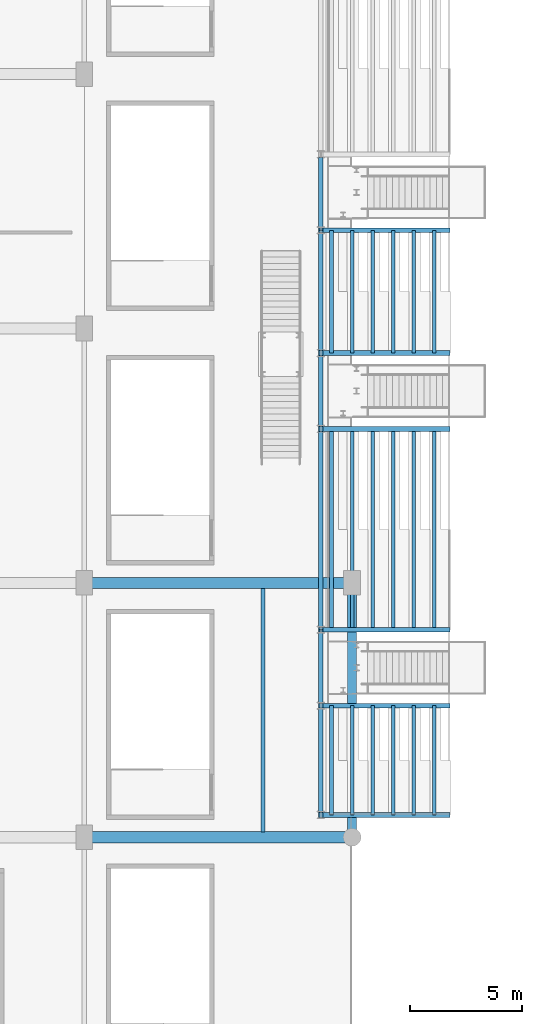
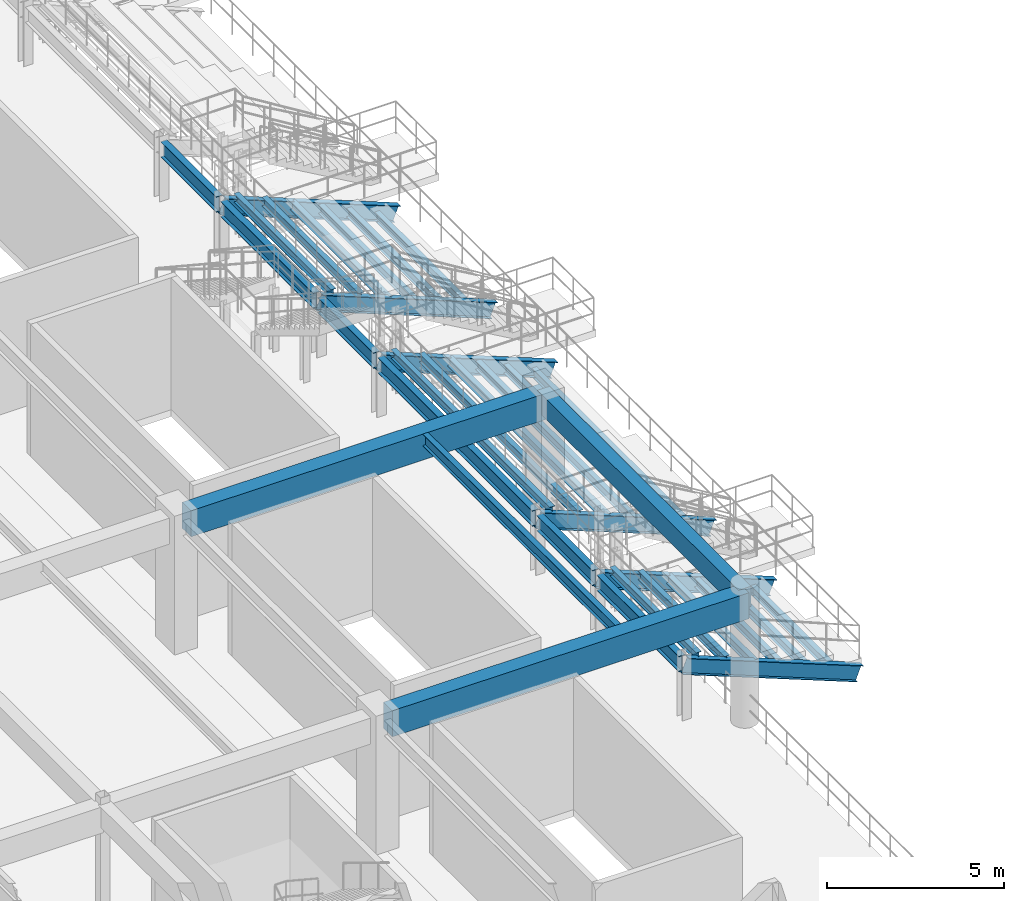
# One storey, part 55 of 106: 18 members, 16 beams.
"""IFC4 building model written with IfcOpenShell, lengths in metres."""

from ifc_helpers import new_model, si_unit, direction, frame, origin, origin_2d, place, context, subcontext, project, spatial, rectangle, i_section, extrude, material, material_profile, profile_set, type_object, element, save


model = new_model("IFC4")

# Units and contexts
model_context = context("Model", 3, precision=1e-05, world=origin(), true_north=direction((0.0, 1.0)))
body_context = subcontext(model_context, "Body", "Model", "MODEL_VIEW")
ifc_project = project(units=[si_unit("LENGTHUNIT", "METRE"), si_unit("AREAUNIT", "SQUARE_METRE"), si_unit("VOLUMEUNIT", "CUBIC_METRE"), si_unit("PLANEANGLEUNIT", "RADIAN"), si_unit("MASSUNIT", "GRAM", prefix="KILO"), si_unit("POWERUNIT", "WATT"), si_unit("THERMODYNAMICTEMPERATUREUNIT", "KELVIN")], contexts=[model_context])

# Site, building, storey
site_placement = place(None, origin())
site = spatial("IfcSite", under=ifc_project, at=site_placement, CompositionType="ELEMENT")
building_placement = place(site_placement, origin())
building = spatial("IfcBuilding", under=site, at=building_placement, Name="Kelmbourne Parkland Aquatics Centre", CompositionType="ELEMENT")
storey_placement = place(building_placement, frame((0.0, 0.0, 5.39990234375)))
storey = spatial("IfcBuildingStorey", under=building, at=storey_placement, Name="L01", CompositionType="ELEMENT", Elevation=5.39990234375)

# Beams
ifc_material_1 = material(Name="Concrete C40/50", Category="concrete")
ifc_material_profile_1 = material_profile(ifc_material_1, rectangle(XDim=0.5, YDim=0.89990234375, at=origin_2d()), Name="RC 500x900")
ifc_profile_set_1 = profile_set([ifc_material_profile_1], Name="Concrete C40/50")
beam_type_1 = type_object("IfcBeamType", Name="BM-G03", PredefinedType="BEAM", material=ifc_profile_set_1)
for number, where, z_axis, x_axis, name in (
    (1, (128.330078125, 35.0, 4.110107421875), (1.0, 0.0, 0.0), (0.0, 1.0, 0.0), "Primary girder P-Q Grid 05 (L02)"),
    (2, (128.330078125, 46.39990234375, 4.110107421875), (1.0, 0.0, 0.0), (0.0, 1.0, 0.0), "Primary girder P-Q Grid 06 (L02)"),
):
    element("IfcBeam", number, at=place(storey_placement, frame(where, z_axis=z_axis, x_axis=x_axis)), inside=storey, type_object=beam_type_1, Name=name, PredefinedType="BEAM", context=body_context, shape_type="SweptSolid", body=[
        extrude(rectangle(XDim=0.5, YDim=0.89990234375, at=origin_2d()), origin(), (0.0, 0.0, 1.0), 11.669921875),
    ])
ifc_material_profile_2 = material_profile(ifc_material_1, rectangle(XDim=0.39990234375, YDim=0.699951171875, at=origin_2d()), Name="RC 400x700")
ifc_profile_set_2 = profile_set([ifc_material_profile_2], Name="Concrete C40/50")
beam_type_2 = type_object("IfcBeamType", Name="BM-G05", PredefinedType="BEAM", material=ifc_profile_set_2)
beam_1_placement = place(storey_placement, frame((140.0, 35.0, 4.210205078125), z_axis=(0.0, 1.0, 0.0), x_axis=(-1.0, 0.0, 0.0)))
element("IfcBeam", 3, at=beam_1_placement, inside=storey, type_object=beam_type_2, Name="Primary girder 05-06 Grid Q (L02)", PredefinedType="BEAM", context=body_context, shape_type="SweptSolid", body=[
    extrude(rectangle(XDim=0.39990234375, YDim=0.699951171875, at=origin_2d()), origin(), (0.0, 0.0, 1.0), 11.39990234375),
])
ifc_material_2 = material(Name="Structural steel AS/NZS 3679.1 Grade 300", Category="steel")
ifc_material_profile_3 = material_profile(ifc_material_2, i_section(OverallWidth=0.177978515625, OverallDepth=0.406005859375, WebThickness=0.0078125, FlangeThickness=0.0126953125, at=origin_2d()), Name="410UB59.7")
ifc_profile_set_3 = profile_set([ifc_material_profile_3], Name="Structural steel AS/NZS 3679.1 Grade 300")
beam_type_3 = type_object("IfcBeamType", Name="BM-J01", PredefinedType="JOIST", material=ifc_profile_set_3)
beam_2_placement = place(storey_placement, frame((136.0, 35.241943359375, 4.357177734375), z_axis=(0.0, 1.0, 0.0), x_axis=(-1.0, 0.0, 0.0)))
element("IfcBeam", 4, at=beam_2_placement, inside=storey, type_object=beam_type_3, Name="Secondary floor joist P-Q/05-06 #2 (L02)", PredefinedType="JOIST", context=body_context, shape_type="SweptSolid", body=[
    extrude(i_section(OverallWidth=0.177978515625, OverallDepth=0.406005859375, WebThickness=0.0078125, FlangeThickness=0.0126953125, at=origin_2d()), origin(), (0.0, 0.0, 1.0), 10.916015625),
])
ifc_material_profile_4 = material_profile(ifc_material_2, i_section(OverallWidth=0.208984375, OverallDepth=0.532958984375, WebThickness=0.01025390625, FlangeThickness=0.015625, at=origin_2d()), Name="530UB92.4")
ifc_profile_set_4 = profile_set([ifc_material_profile_4], Name="Structural steel AS/NZS 3679.1 Grade 300")
beam_type_4 = type_object("IfcBeamType", Name="BM-RAKER", PredefinedType="USERDEFINED", material=ifc_profile_set_4)
beam_3_placement = place(storey_placement, frame((144.300048828125, 36.0, -0.449951171875), z_axis=(-0.93015414714, 0.0, 0.367169256009), x_axis=(0.0, -1.0, 0.0)))
element("IfcBeam", 5, at=beam_3_placement, inside=storey, type_object=beam_type_4, Name="Spectator stand raker beam RKR-01", ObjectType="RAKER", PredefinedType="USERDEFINED", context=body_context, shape_type="SweptSolid", body=[
    extrude(i_section(OverallWidth=0.208984375, OverallDepth=0.532958984375, WebThickness=0.01025390625, FlangeThickness=0.015625, at=origin_2d()), origin(), (0.0, 0.0, 1.0), 6.1279296875),
])
beam_4_placement = place(storey_placement, frame((138.60009765625, 36.1201171875, 1.780029296875), z_axis=(0.0, 1.0, 0.0), x_axis=(-1.0, 0.0, 0.0)))
element("IfcBeam", 6, at=beam_4_placement, inside=storey, type_object=beam_type_4, Name="Bowl upper tie beam 02", PredefinedType="BEAM", context=body_context, shape_type="SweptSolid", body=[
    extrude(i_section(OverallWidth=0.208984375, OverallDepth=0.532958984375, WebThickness=0.01025390625, FlangeThickness=0.015625, at=origin_2d()), origin(), (0.0, 0.0, 1.0), 4.659912109375),
])
beam_5_placement = place(storey_placement, frame((144.300048828125, 40.89990234375, -0.449951171875), z_axis=(-0.93015414714, 0.0, 0.367169256009), x_axis=(0.0, -1.0, 0.0)))
element("IfcBeam", 7, at=beam_5_placement, inside=storey, type_object=beam_type_4, Name="Spectator stand raker beam RKR-02", ObjectType="RAKER", PredefinedType="USERDEFINED", context=body_context, shape_type="SweptSolid", body=[
    extrude(i_section(OverallWidth=0.208984375, OverallDepth=0.532958984375, WebThickness=0.01025390625, FlangeThickness=0.015625, at=origin_2d()), origin(), (0.0, 0.0, 1.0), 6.1279296875),
])
beam_6_placement = place(storey_placement, frame((138.60009765625, 41.02001953125, 1.780029296875), z_axis=(0.0, 1.0, 0.0), x_axis=(-1.0, 0.0, 0.0)))
element("IfcBeam", 8, at=beam_6_placement, inside=storey, type_object=beam_type_4, Name="Bowl upper tie beam 03", PredefinedType="BEAM", context=body_context, shape_type="SweptSolid", body=[
    extrude(i_section(OverallWidth=0.208984375, OverallDepth=0.532958984375, WebThickness=0.01025390625, FlangeThickness=0.015625, at=origin_2d()), origin(), (0.0, 0.0, 1.0), 3.159912109375),
])
beam_7_placement = place(storey_placement, frame((144.300048828125, 44.300048828125, -0.449951171875), z_axis=(-0.93015414714, 0.0, 0.367169256009), x_axis=(0.0, -1.0, 0.0)))
element("IfcBeam", 9, at=beam_7_placement, inside=storey, type_object=beam_type_4, Name="Spectator stand raker beam RKR-03", ObjectType="RAKER", PredefinedType="USERDEFINED", context=body_context, shape_type="SweptSolid", body=[
    extrude(i_section(OverallWidth=0.208984375, OverallDepth=0.532958984375, WebThickness=0.01025390625, FlangeThickness=0.015625, at=origin_2d()), origin(), (0.0, 0.0, 1.0), 6.1279296875),
])
beam_8_placement = place(storey_placement, frame((138.60009765625, 44.419921875, 1.780029296875), z_axis=(0.0, 1.0, 0.0), x_axis=(-1.0, 0.0, 0.0)))
element("IfcBeam", 10, at=beam_8_placement, inside=storey, type_object=beam_type_4, Name="Bowl upper tie beam 04", PredefinedType="BEAM", context=body_context, shape_type="SweptSolid", body=[
    extrude(i_section(OverallWidth=0.208984375, OverallDepth=0.532958984375, WebThickness=0.01025390625, FlangeThickness=0.015625, at=origin_2d()), origin(), (0.0, 0.0, 1.0), 8.760009765625),
])
beam_9_placement = place(storey_placement, frame((144.300048828125, 53.300048828125, -0.449951171875), z_axis=(-0.93015414714, 0.0, 0.367169256009), x_axis=(0.0, -1.0, 0.0)))
element("IfcBeam", 11, at=beam_9_placement, inside=storey, type_object=beam_type_4, Name="Spectator stand raker beam RKR-04", ObjectType="RAKER", PredefinedType="USERDEFINED", context=body_context, shape_type="SweptSolid", body=[
    extrude(i_section(OverallWidth=0.208984375, OverallDepth=0.532958984375, WebThickness=0.01025390625, FlangeThickness=0.015625, at=origin_2d()), origin(), (0.0, 0.0, 1.0), 6.1279296875),
])
beam_10_placement = place(storey_placement, frame((138.60009765625, 53.419921875, 1.780029296875), z_axis=(0.0, 1.0, 0.0), x_axis=(-1.0, 0.0, 0.0)))
element("IfcBeam", 12, at=beam_10_placement, inside=storey, type_object=beam_type_4, Name="Bowl upper tie beam 05", PredefinedType="BEAM", context=body_context, shape_type="SweptSolid", body=[
    extrude(i_section(OverallWidth=0.208984375, OverallDepth=0.532958984375, WebThickness=0.01025390625, FlangeThickness=0.015625, at=origin_2d()), origin(), (0.0, 0.0, 1.0), 3.16015625),
])
beam_11_placement = place(storey_placement, frame((144.300048828125, 56.699951171875, -0.449951171875), z_axis=(-0.93015414714, 0.0, 0.367169256009), x_axis=(0.0, -1.0, 0.0)))
element("IfcBeam", 13, at=beam_11_placement, inside=storey, type_object=beam_type_4, Name="Spectator stand raker beam RKR-05", ObjectType="RAKER", PredefinedType="USERDEFINED", context=body_context, shape_type="SweptSolid", body=[
    extrude(i_section(OverallWidth=0.208984375, OverallDepth=0.532958984375, WebThickness=0.01025390625, FlangeThickness=0.015625, at=origin_2d()), origin(), (0.0, 0.0, 1.0), 6.1279296875),
])
beam_12_placement = place(storey_placement, frame((138.60009765625, 56.820068359375, 1.780029296875), z_axis=(0.0, 1.0, 0.0), x_axis=(-1.0, 0.0, 0.0)))
element("IfcBeam", 14, at=beam_12_placement, inside=storey, type_object=beam_type_4, Name="Bowl upper tie beam 06", PredefinedType="BEAM", context=body_context, shape_type="SweptSolid", body=[
    extrude(i_section(OverallWidth=0.208984375, OverallDepth=0.532958984375, WebThickness=0.01025390625, FlangeThickness=0.015625, at=origin_2d()), origin(), (0.0, 0.0, 1.0), 5.260009765625),
])
beam_13_placement = place(storey_placement, frame((144.300048828125, 62.199951171875, -0.449951171875), z_axis=(-0.93015414714, 0.0, 0.367169256009), x_axis=(0.0, -1.0, 0.0)))
element("IfcBeam", 15, at=beam_13_placement, inside=storey, type_object=beam_type_4, Name="Spectator stand raker beam RKR-06", ObjectType="RAKER", PredefinedType="USERDEFINED", context=body_context, shape_type="SweptSolid", body=[
    extrude(i_section(OverallWidth=0.208984375, OverallDepth=0.532958984375, WebThickness=0.01025390625, FlangeThickness=0.015625, at=origin_2d()), origin(), (0.0, 0.0, 1.0), 6.1279296875),
])
beam_14_placement = place(storey_placement, frame((138.60009765625, 62.320068359375, 1.780029296875), z_axis=(0.0, 1.0, 0.0), x_axis=(-1.0, 0.0, 0.0)))
element("IfcBeam", 16, at=beam_14_placement, inside=storey, type_object=beam_type_4, Name="Bowl upper tie beam 07", PredefinedType="BEAM", context=body_context, shape_type="SweptSolid", body=[
    extrude(i_section(OverallWidth=0.208984375, OverallDepth=0.532958984375, WebThickness=0.01025390625, FlangeThickness=0.015625, at=origin_2d()), origin(), (0.0, 0.0, 1.0), 3.159912109375),
])

# Members
ifc_material_profile_5 = material_profile(ifc_material_2, i_section(OverallWidth=0.166015625, OverallDepth=0.306884765625, WebThickness=0.006591796875, FlangeThickness=0.01171875, at=origin_2d()), Name="310UB46.2")
ifc_profile_set_5 = profile_set([ifc_material_profile_5], Name="Structural steel AS/NZS 3679.1 Grade 300")
member_type = type_object("IfcMemberType", Name="BM-TIER-S", PredefinedType="PURLIN", material=ifc_profile_set_5)
for number, where, z_axis, x_axis, name in (
    (17, (143.679931640625, 36.0, -0.333984375), (0.0, 1.0, 0.0), (-1.0, 0.0, 0.0), "Seating tier stringer B1-R1"),
    (18, (142.760009765625, 36.0, 0.1162109375), (0.0, 1.0, 0.0), (-1.0, 0.0, 0.0), "Seating tier stringer B1-R2"),
    (19, (141.840087890625, 36.0, 0.566162109375), (0.0, 1.0, 0.0), (-1.0, 0.0, 0.0), "Seating tier stringer B1-R3"),
    (20, (140.919921875, 36.0, 1.01611328125), (0.0, 1.0, 0.0), (-1.0, 0.0, 0.0), "Seating tier stringer B1-R4"),
    (21, (140.0, 36.0, 1.466064453125), (0.0, 1.0, 0.0), (-1.0, 0.0, 0.0), "Seating tier stringer B1-R5"),
    (22, (139.080078125, 36.0, 1.916015625), (0.0, 1.0, 0.0), (-1.0, 0.0, 0.0), "Seating tier stringer B1-R6"),
):
    element("IfcMember", number, at=place(storey_placement, frame(where, z_axis=z_axis, x_axis=x_axis)), inside=storey, type_object=member_type, Name=name, PredefinedType="PURLIN", context=body_context, shape_type="SweptSolid", body=[
        extrude(i_section(OverallWidth=0.166015625, OverallDepth=0.306884765625, WebThickness=0.006591796875, FlangeThickness=0.01171875, at=origin_2d()), origin(), (0.0, 0.0, 1.0), 4.89990234375),
    ])
for number, where, z_axis, x_axis, name in (
    (23, (143.679931640625, 44.300048828125, -0.333984375), (0.0, 1.0, 0.0), (-1.0, 0.0, 0.0), "Seating tier stringer B2-R1"),
    (24, (142.760009765625, 44.300048828125, 0.1162109375), (0.0, 1.0, 0.0), (-1.0, 0.0, 0.0), "Seating tier stringer B2-R2"),
    (25, (141.840087890625, 44.300048828125, 0.566162109375), (0.0, 1.0, 0.0), (-1.0, 0.0, 0.0), "Seating tier stringer B2-R3"),
    (26, (140.919921875, 44.300048828125, 1.01611328125), (0.0, 1.0, 0.0), (-1.0, 0.0, 0.0), "Seating tier stringer B2-R4"),
    (27, (140.0, 44.300048828125, 1.466064453125), (0.0, 1.0, 0.0), (-1.0, 0.0, 0.0), "Seating tier stringer B2-R5"),
    (28, (139.080078125, 44.300048828125, 1.916015625), (0.0, 1.0, 0.0), (-1.0, 0.0, 0.0), "Seating tier stringer B2-R6"),
):
    element("IfcMember", number, at=place(storey_placement, frame(where, z_axis=z_axis, x_axis=x_axis)), inside=storey, type_object=member_type, Name=name, PredefinedType="PURLIN", context=body_context, shape_type="SweptSolid", body=[
        extrude(i_section(OverallWidth=0.166015625, OverallDepth=0.306884765625, WebThickness=0.006591796875, FlangeThickness=0.01171875, at=origin_2d()), origin(), (0.0, 0.0, 1.0), 9.0),
    ])
for number, where, z_axis, x_axis, name in (
    (29, (143.679931640625, 56.699951171875, -0.333984375), (0.0, 1.0, 0.0), (-1.0, 0.0, 0.0), "Seating tier stringer B3-R1"),
    (30, (142.760009765625, 56.699951171875, 0.1162109375), (0.0, 1.0, 0.0), (-1.0, 0.0, 0.0), "Seating tier stringer B3-R2"),
    (31, (141.840087890625, 56.699951171875, 0.566162109375), (0.0, 1.0, 0.0), (-1.0, 0.0, 0.0), "Seating tier stringer B3-R3"),
    (32, (140.919921875, 56.699951171875, 1.01611328125), (0.0, 1.0, 0.0), (-1.0, 0.0, 0.0), "Seating tier stringer B3-R4"),
    (33, (140.0, 56.699951171875, 1.466064453125), (0.0, 1.0, 0.0), (-1.0, 0.0, 0.0), "Seating tier stringer B3-R5"),
    (34, (139.080078125, 56.699951171875, 1.916015625), (0.0, 1.0, 0.0), (-1.0, 0.0, 0.0), "Seating tier stringer B3-R6"),
):
    element("IfcMember", number, at=place(storey_placement, frame(where, z_axis=z_axis, x_axis=x_axis)), inside=storey, type_object=member_type, Name=name, PredefinedType="PURLIN", context=body_context, shape_type="SweptSolid", body=[
        extrude(i_section(OverallWidth=0.166015625, OverallDepth=0.306884765625, WebThickness=0.006591796875, FlangeThickness=0.01171875, at=origin_2d()), origin(), (0.0, 0.0, 1.0), 5.5),
    ])

save(model, "model.ifc")
